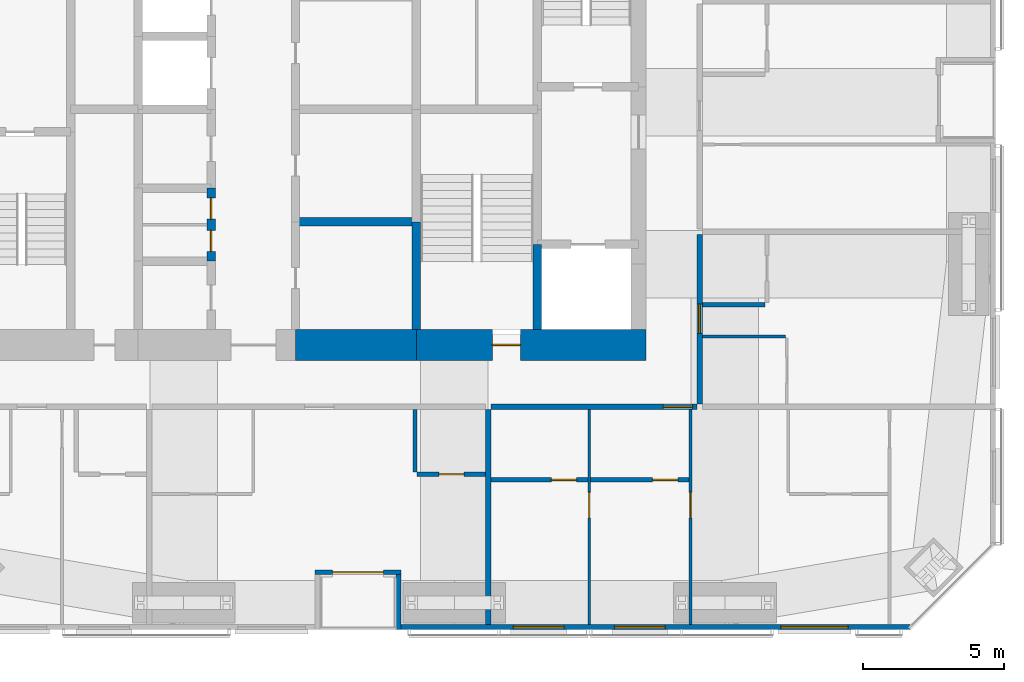
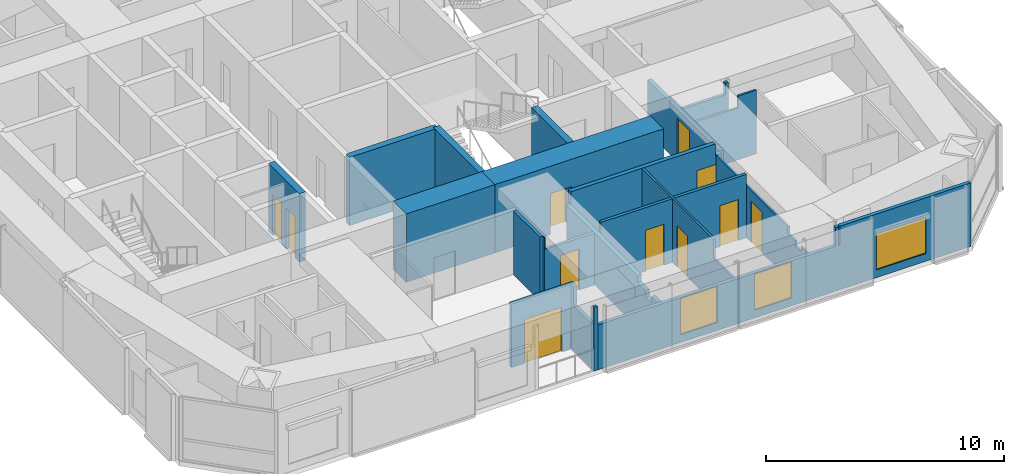
# One storey, part 14 of 19: 20 walls, 11 doors, 3 windows, 14 openings.
"""IFC4 building model written with IfcOpenShell, lengths in metres."""

from ifc_helpers import new_model, si_unit, direction, frame, frame_2d, origin, place, context, subcontext, project, spatial, polyline, rectangle, outline, extrude, material, layer, layer_set, constituent, constituent_set, type_object, element, fill, save


model = new_model("IFC4")

# Units and contexts
model_context = context("Model", 3, precision=1e-05, world=origin(), true_north=direction((0.0, 1.0)))
body_context = subcontext(model_context, "Body", "Model", "MODEL_VIEW")
ifc_project = project(units=[si_unit("LENGTHUNIT", "METRE"), si_unit("AREAUNIT", "SQUARE_METRE"), si_unit("VOLUMEUNIT", "CUBIC_METRE"), si_unit("PLANEANGLEUNIT", "RADIAN"), si_unit("MASSUNIT", "GRAM", prefix="KILO")], contexts=[model_context])

# Site, building, storey
site_placement = place(None, origin())
site = spatial("IfcSite", under=ifc_project, at=site_placement, CompositionType="ELEMENT")
building_placement = place(site_placement, origin())
building = spatial("IfcBuilding", under=site, at=building_placement, Name="Jalousie Tower", CompositionType="ELEMENT")
storey_placement = place(building_placement, frame((0.0, 0.0, 221.449951171875)))
storey = spatial("IfcBuildingStorey", under=building, at=storey_placement, Name="L60", CompositionType="ELEMENT", Elevation=221.449951171875)

# Wall, opening, door
ifc_material_1 = material(Name="Concrete block ASTM C90", Category="concrete")
ifc_constituent_1 = constituent(ifc_material_1, Name="Body")
ifc_material_2 = material(Name="Render")
ifc_constituent_2 = constituent(ifc_material_2, Name="Finish")
ifc_constituent_set_1 = constituent_set(constituents=[ifc_constituent_1, ifc_constituent_2])
wall_type_1 = type_object("IfcWallType", Name="BATHROOM WALL 150", PredefinedType="PLUMBINGWALL", material=ifc_constituent_set_1)
wall_1_placement = place(storey_placement, frame((35.925048828125, 5.52490234375, 0.0), z_axis=(0.0, 0.0, 1.0), x_axis=(1.0, 0.0, 0.0)))
wall_1 = element("IfcWall", 1, at=wall_1_placement, inside=storey, type_object=wall_type_1, Name="Bathroom Wall 150 L60", PredefinedType="PLUMBINGWALL", context=body_context, shape_type="SweptSolid", body=[
    extrude(outline(polyline([(0.0, 0.0), (2.425048828125, 0.0), (2.425048828125, 3.260009765625), (2.425048828125, 2.66015625), (0.0400390625, 2.66015625), (0.0400390625, 3.260009765625), (0.0, 3.260009765625), (0.0, 0.0)])), frame((0.0, 0.074951171875, 0.0), z_axis=(0.0, -1.0, 0.0), x_axis=(1.0, 0.0, 0.0)), (0.0, 0.0, 1.0), 0.14990234375),
])
opening_1_placement = place(wall_1_placement, frame((0.77490234375, 0.0, 0.0)))
opening_1 = element("IfcOpeningElement", 2, at=opening_1_placement, cuts=wall_1, Name="Opening D3", PredefinedType="OPENING", context=body_context, shape_type="SweptSolid", body=[
    extrude(rectangle(XDim=0.89990234375, YDim=2.10009765625, at=frame_2d((0.449951171875, 1.050048828125))), frame((0.0, 0.0849609375, 0.0), z_axis=(0.0, -1.0, 0.0), x_axis=(1.0, 0.0, 0.0)), (0.0, 0.0, 1.0), 0.169921875),
])
ifc_material_3 = material(Name="Timber door", Category="wood")
door_type_1 = type_object("IfcDoorType", Name="BATHROOM DOOR 900", OperationType="SINGLE_SWING_LEFT", PredefinedType="DOOR", material=ifc_material_3)
door_1_placement = place(opening_1_placement, origin())
door_1 = element("IfcDoor", 3, at=door_1_placement, inside=storey, type_object=door_type_1, Name="Apartment 6002 bathroom door", OperationType="SINGLE_SWING_RIGHT", OverallHeight=2.10009765625, OverallWidth=0.89990234375, PredefinedType="DOOR", context=body_context, shape_type="SweptSolid", body=[
    extrude(rectangle(XDim=0.89990234375, YDim=2.10009765625, at=frame_2d((0.449951171875, 1.050048828125))), frame((0.0, 0.02490234375, 0.0), z_axis=(0.0, -1.0, 0.0), x_axis=(1.0, 0.0, 0.0)), (0.0, 0.0, 1.0), 0.050048828125),
])
fill(opening_1, door_1)

# Wall
wall_2_placement = place(storey_placement, frame((35.85009765625, 5.60009765625, 0.0), z_axis=(0.0, 0.0, 1.0), x_axis=(0.0, 1.0, 0.0)))
element("IfcWall", 4, at=wall_2_placement, inside=storey, type_object=wall_type_1, Name="Bathroom Wall 150 L60", PredefinedType="PLUMBINGWALL", context=body_context, shape_type="SweptSolid", body=[
    extrude(rectangle(XDim=2.224853515625, YDim=0.14990234375, at=frame_2d((1.1123046875, 0.0))), origin(), (0.0, 0.0, 1.0), 3.260009765625),
])

# Wall, opening, door
wall_3_placement = place(storey_placement, frame((38.550048828125, 5.324951171875, 0.0), z_axis=(0.0, 0.0, 1.0), x_axis=(1.0, 0.0, 0.0)))
wall_3 = element("IfcWall", 5, at=wall_3_placement, inside=storey, type_object=wall_type_1, Name="Bathroom Wall 150 L60", PredefinedType="PLUMBINGWALL", context=body_context, shape_type="SweptSolid", body=[
    extrude(rectangle(XDim=3.449951171875, YDim=0.14990234375, at=frame_2d((1.72509765625, 0.0))), origin(), (0.0, 0.0, 1.0), 3.260009765625),
])
opening_2_placement = place(wall_3_placement, frame((2.14990234375, 0.0, 0.0)))
opening_2 = element("IfcOpeningElement", 6, at=opening_2_placement, cuts=wall_3, Name="Opening D3", PredefinedType="OPENING", context=body_context, shape_type="SweptSolid", body=[
    extrude(rectangle(XDim=0.89990234375, YDim=2.10009765625, at=frame_2d((0.449951171875, 1.050048828125))), frame((0.0, 0.0849609375, 0.0), z_axis=(0.0, -1.0, 0.0), x_axis=(1.0, 0.0, 0.0)), (0.0, 0.0, 1.0), 0.169921875),
])
door_2_placement = place(opening_2_placement, origin())
door_2 = element("IfcDoor", 7, at=door_2_placement, inside=storey, type_object=door_type_1, Name="Apartment 6003 bedroom 1 bathroom door", OperationType="SINGLE_SWING_RIGHT", OverallHeight=2.10009765625, OverallWidth=0.89990234375, PredefinedType="DOOR", context=body_context, shape_type="SweptSolid", body=[
    extrude(rectangle(XDim=0.89990234375, YDim=2.10009765625, at=frame_2d((0.449951171875, 1.050048828125))), frame((0.0, 0.02490234375, 0.0), z_axis=(0.0, -1.0, 0.0), x_axis=(1.0, 0.0, 0.0)), (0.0, 0.0, 1.0), 0.050048828125),
])
fill(opening_2, door_2)

wall_4_placement = place(storey_placement, frame((42.10009765625, 5.324951171875, 0.0), z_axis=(0.0, 0.0, 1.0), x_axis=(1.0, 0.0, 0.0)))
wall_4 = element("IfcWall", 8, at=wall_4_placement, inside=storey, type_object=wall_type_1, Name="Bathroom Wall 150 L60", PredefinedType="PLUMBINGWALL", context=body_context, shape_type="SweptSolid", body=[
    extrude(outline(polyline([(0.0, 0.0), (3.5, 0.0), (3.5, 3.260009765625), (3.5, 2.66015625), (3.489990234375, 2.66015625), (3.489990234375, 3.260009765625), (0.0, 3.260009765625), (0.0, 0.0)])), frame((0.0, 0.074951171875, 0.0), z_axis=(0.0, -1.0, 0.0), x_axis=(1.0, 0.0, 0.0)), (0.0, 0.0, 1.0), 0.14990234375),
])
opening_3_placement = place(wall_4_placement, frame((2.199951171875, 0.0, 0.0)))
opening_3 = element("IfcOpeningElement", 9, at=opening_3_placement, cuts=wall_4, Name="Opening D3", PredefinedType="OPENING", context=body_context, shape_type="SweptSolid", body=[
    extrude(rectangle(XDim=0.89990234375, YDim=2.10009765625, at=frame_2d((0.449951171875, 1.050048828125))), frame((0.0, 0.0849609375, 0.0), z_axis=(0.0, -1.0, 0.0), x_axis=(1.0, 0.0, 0.0)), (0.0, 0.0, 1.0), 0.169921875),
])
door_3_placement = place(opening_3_placement, origin())
door_3 = element("IfcDoor", 10, at=door_3_placement, inside=storey, type_object=door_type_1, Name="Apartment 6003 bedroom 2 bathroom door", OperationType="SINGLE_SWING_RIGHT", OverallHeight=2.10009765625, OverallWidth=0.89990234375, PredefinedType="DOOR", context=body_context, shape_type="SweptSolid", body=[
    extrude(rectangle(XDim=0.89990234375, YDim=2.10009765625, at=frame_2d((0.449951171875, 1.050048828125))), frame((0.0, 0.02490234375, 0.0), z_axis=(0.0, -1.0, 0.0), x_axis=(1.0, 0.0, 0.0)), (0.0, 0.0, 1.0), 0.050048828125),
])
fill(opening_3, door_3)

# Walls
wall_5_placement = place(storey_placement, frame((48.300048828125, 11.550048828125, 0.0), z_axis=(0.0, 0.0, 1.0), x_axis=(-1.0, 0.0, 0.0)))
element("IfcWall", 11, at=wall_5_placement, inside=storey, type_object=wall_type_1, Name="Bathroom Wall 150 L60", PredefinedType="PLUMBINGWALL", context=body_context, shape_type="SweptSolid", body=[
    extrude(outline(polyline([(0.0, 0.0), (2.22509765625, 0.0), (2.22509765625, 3.260009765625), (2.22509765625, 2.66015625), (0.139892578125, 2.66015625), (0.139892578125, 3.260009765625), (0.0, 3.260009765625), (0.0, 0.0)])), frame((0.0, 0.074951171875, 0.0), z_axis=(0.0, -1.0, 0.0), x_axis=(1.0, 0.0, 0.0)), (0.0, 0.0, 1.0), 0.14990234375),
])
ifc_material_4 = material(Name="Concrete f'c 120 MPa", Category="concrete")
ifc_layer_1 = layer(ifc_material_4, 1.10009765625)
ifc_layer_set_1 = layer_set([ifc_layer_1], Name="Concrete f'c 120 MPa")
wall_type_2 = type_object("IfcWallType", Name="CORE WALL 1100", PredefinedType="SHEAR", material=ifc_layer_set_1)
wall_6_placement = place(storey_placement, frame((31.60009765625, 10.125, 0.0), z_axis=(0.0, 0.0, 1.0), x_axis=(1.0, 0.0, 0.0)))
element("IfcWall", 12, at=wall_6_placement, inside=storey, type_object=wall_type_2, Name="Core wall SC L60", PredefinedType="SHEAR", context=body_context, shape_type="SweptSolid", body=[
    extrude(rectangle(XDim=4.2998046875, YDim=1.10009765625, at=frame_2d((2.14990234375, 0.0))), origin(), (0.0, 0.0, 1.0), 3.5),
])

# Wall, opening, door
wall_7_placement = place(storey_placement, frame((35.89990234375, 10.125, 0.0), z_axis=(0.0, 0.0, 1.0), x_axis=(1.0, 0.0, 0.0)))
wall_7 = element("IfcWall", 13, at=wall_7_placement, inside=storey, type_object=wall_type_2, Name="Core wall SD L60", PredefinedType="SHEAR", context=body_context, shape_type="SweptSolid", body=[
    extrude(rectangle(XDim=8.175048828125, YDim=1.10009765625, at=frame_2d((4.08740234375, 0.0))), origin(), (0.0, 0.0, 1.0), 3.5),
])
opening_4_placement = place(wall_7_placement, frame((2.699951171875, 0.0, 0.0)))
opening_4 = element("IfcOpeningElement", 14, at=opening_4_placement, cuts=wall_7, Name="Opening D10", PredefinedType="OPENING", context=body_context, shape_type="SweptSolid", body=[
    extrude(rectangle(XDim=1.0, YDim=2.10009765625, at=frame_2d((0.5, 1.050048828125))), frame((0.0, 0.56005859375, 0.0), z_axis=(0.0, -1.0, 0.0), x_axis=(1.0, 0.0, 0.0)), (0.0, 0.0, 1.0), 1.1201171875),
])
ifc_material_5 = material(Name="Steel fire door", Category="steel")
door_type_2 = type_object("IfcDoorType", Name="STAIR DOOR 1000", OperationType="SINGLE_SWING_LEFT", PredefinedType="DOOR", material=ifc_material_5)
door_4_placement = place(opening_4_placement, origin())
door_4 = element("IfcDoor", 15, at=door_4_placement, inside=storey, type_object=door_type_2, Name="Exit stair C door", OperationType="SINGLE_SWING_RIGHT", OverallHeight=2.10009765625, OverallWidth=1.0, PredefinedType="DOOR", context=body_context, shape_type="SweptSolid", body=[
    extrude(rectangle(XDim=1.0, YDim=2.10009765625, at=frame_2d((0.5, 1.050048828125))), frame((0.0, 0.02490234375, 0.0), z_axis=(0.0, -1.0, 0.0), x_axis=(1.0, 0.0, 0.0)), (0.0, 0.0, 1.0), 0.050048828125),
])
fill(opening_4, door_4)

# Wall, openings, doors
ifc_material_6 = material(Name="Concrete f'c 120 MPa", Category="concrete")
ifc_layer_2 = layer(ifc_material_6, 0.300048828125)
ifc_layer_set_2 = layer_set([ifc_layer_2], Name="Concrete f'c 120 MPa")
wall_type_3 = type_object("IfcWallType", Name="CORE WALL 300", PredefinedType="SHEAR", material=ifc_layer_set_2)
wall_8_placement = place(storey_placement, frame((28.60009765625, 13.10009765625, 0.0), z_axis=(0.0, 0.0, 1.0), x_axis=(0.0, 1.0, 0.0)))
wall_8 = element("IfcWall", 16, at=wall_8_placement, inside=storey, type_object=wall_type_3, Name="Core wall X28.6B L60", PredefinedType="SHEAR", context=body_context, shape_type="SweptSolid", body=[
    extrude(rectangle(XDim=2.599853515625, YDim=0.300048828125, at=frame_2d((1.2998046875, 0.0))), origin(), (0.0, 0.0, 1.0), 3.5),
])
opening_5_placement = place(wall_8_placement, frame((0.35009765625, 0.0, 0.0)))
opening_5 = element("IfcOpeningElement", 17, at=opening_5_placement, cuts=wall_8, Name="Opening D27", PredefinedType="OPENING", context=body_context, shape_type="SweptSolid", body=[
    extrude(rectangle(XDim=0.75, YDim=2.10009765625, at=frame_2d((0.375, 1.050048828125))), frame((0.0, 0.159912109375, 0.0), z_axis=(0.0, -1.0, 0.0), x_axis=(1.0, 0.0, 0.0)), (0.0, 0.0, 1.0), 0.320068359375),
])
opening_6_placement = place(wall_8_placement, frame((1.5, 0.0, 0.0)))
opening_6 = element("IfcOpeningElement", 18, at=opening_6_placement, cuts=wall_8, Name="Opening D27", PredefinedType="OPENING", context=body_context, shape_type="SweptSolid", body=[
    extrude(rectangle(XDim=0.75, YDim=2.10009765625, at=frame_2d((0.375, 1.050048828125))), frame((0.0, 0.159912109375, 0.0), z_axis=(0.0, -1.0, 0.0), x_axis=(1.0, 0.0, 0.0)), (0.0, 0.0, 1.0), 0.320068359375),
])
ifc_material_7 = material(Name="Steel fire door", Category="steel")
door_type_3 = type_object("IfcDoorType", Name="CORE ROOM DOOR 750", OperationType="SINGLE_SWING_LEFT", PredefinedType="DOOR", material=ifc_material_7)
door_5_placement = place(opening_5_placement, origin())
door_5 = element("IfcDoor", 19, at=door_5_placement, inside=storey, type_object=door_type_3, Name="Staff WC door", OperationType="SINGLE_SWING_RIGHT", OverallHeight=2.10009765625, OverallWidth=0.75, PredefinedType="DOOR", context=body_context, shape_type="SweptSolid", body=[
    extrude(rectangle(XDim=0.75, YDim=2.10009765625, at=frame_2d((0.375, 1.050048828125))), frame((0.0, 0.02490234375, 0.0), z_axis=(0.0, -1.0, 0.0), x_axis=(1.0, 0.0, 0.0)), (0.0, 0.0, 1.0), 0.050048828125),
])
fill(opening_5, door_5)
door_6_placement = place(opening_6_placement, origin())
door_6 = element("IfcDoor", 20, at=door_6_placement, inside=storey, type_object=door_type_3, Name="Store door", OperationType="SINGLE_SWING_LEFT", OverallHeight=2.10009765625, OverallWidth=0.75, PredefinedType="DOOR", context=body_context, shape_type="SweptSolid", body=[
    extrude(rectangle(XDim=0.75, YDim=2.10009765625, at=frame_2d((0.375, 1.050048828125))), frame((0.0, 0.02490234375, 0.0), z_axis=(0.0, -1.0, 0.0), x_axis=(1.0, 0.0, 0.0)), (0.0, 0.0, 1.0), 0.050048828125),
])
fill(opening_6, door_6)

# Walls
wall_9_placement = place(storey_placement, frame((35.89990234375, 10.675048828125, 0.0), z_axis=(0.0, 0.0, 1.0), x_axis=(0.0, 1.0, 0.0)))
element("IfcWall", 21, at=wall_9_placement, inside=storey, type_object=wall_type_3, Name="Core wall X35.9A L60", PredefinedType="SHEAR", context=body_context, shape_type="SweptSolid", body=[
    extrude(rectangle(XDim=3.824951171875, YDim=0.300048828125, at=frame_2d((1.91259765625, 0.0))), origin(), (0.0, 0.0, 1.0), 3.5),
])
wall_10_placement = place(storey_placement, frame((40.199951171875, 10.675048828125, 0.0), z_axis=(0.0, 0.0, 1.0), x_axis=(0.0, 1.0, 0.0)))
element("IfcWall", 22, at=wall_10_placement, inside=storey, type_object=wall_type_3, Name="Core wall X40.2A L60", PredefinedType="SHEAR", context=body_context, shape_type="SweptSolid", body=[
    extrude(rectangle(XDim=3.02490234375, YDim=0.300048828125, at=frame_2d((1.512451171875, 0.0))), origin(), (0.0, 0.0, 1.0), 3.5),
])
wall_11_placement = place(storey_placement, frame((31.60009765625, 14.5, 0.0), z_axis=(0.0, 0.0, 1.0), x_axis=(1.0, 0.0, 0.0)))
element("IfcWall", 23, at=wall_11_placement, inside=storey, type_object=wall_type_3, Name="Core wall Y31.6-14.5 L60", PredefinedType="SHEAR", context=body_context, shape_type="SweptSolid", body=[
    extrude(rectangle(XDim=4.2998046875, YDim=0.300048828125, at=frame_2d((2.14990234375, 0.0))), origin(), (0.0, 0.0, 1.0), 3.5),
])

# Wall, opening, door
ifc_material_8 = material(Name="Concrete block ASTM C90", Category="concrete")
ifc_constituent_3 = constituent(ifc_material_8, Name="Body")
ifc_material_9 = material(Name="Render")
ifc_constituent_4 = constituent(ifc_material_9, Name="Finish")
ifc_constituent_set_2 = constituent_set(constituents=[ifc_constituent_3, ifc_constituent_4])
wall_type_4 = type_object("IfcWallType", Name="CORRIDOR WALL 200", PredefinedType="PARTITIONING", material=ifc_constituent_set_2)
wall_12_placement = place(storey_placement, frame((38.550048828125, 7.925048828125, 0.0), z_axis=(0.0, 0.0, 1.0), x_axis=(1.0, 0.0, 0.0)))
wall_12 = element("IfcWall", 24, at=wall_12_placement, inside=storey, type_object=wall_type_4, Name="Corridor Wall 200 L60", PredefinedType="PARTITIONING", context=body_context, shape_type="SweptSolid", body=[
    extrude(outline(polyline([(0.0, 0.0), (7.324951171875, 0.0), (7.324951171875, 3.260009765625), (7.324951171875, 2.66015625), (7.014892578125, 2.66015625), (7.014892578125, 3.260009765625), (0.010009765625, 3.260009765625), (0.010009765625, 2.66015625), (0.0, 2.66015625), (0.0, 3.260009765625), (0.0, 0.0)])), frame((0.0, 0.10009765625, 0.0), z_axis=(0.0, -1.0, 0.0), x_axis=(1.0, 0.0, 0.0)), (0.0, 0.0, 1.0), 0.199951171875),
])
opening_7_placement = place(wall_12_placement, frame((6.125, 0.0, 0.0)))
opening_7 = element("IfcOpeningElement", 25, at=opening_7_placement, cuts=wall_12, Name="Opening D1", PredefinedType="OPENING", context=body_context, shape_type="SweptSolid", body=[
    extrude(rectangle(XDim=1.050048828125, YDim=2.199951171875, at=frame_2d((0.52490234375, 1.10009765625))), frame((0.0, 0.10986328125, 0.0), z_axis=(0.0, -1.0, 0.0), x_axis=(1.0, 0.0, 0.0)), (0.0, 0.0, 1.0), 0.219970703125),
])
ifc_material_10 = material(Name="Timber fire door", Category="wood")
door_type_4 = type_object("IfcDoorType", Name="APARTMENT ENTRANCE DOOR 1050", OperationType="SINGLE_SWING_LEFT", PredefinedType="DOOR", material=ifc_material_10)
door_7_placement = place(opening_7_placement, frame((1.050048828125, 0.0, 0.0), z_axis=(0.0, 0.0, 1.0), x_axis=(-1.0, 0.0, 0.0)))
door_7 = element("IfcDoor", 26, at=door_7_placement, inside=storey, type_object=door_type_4, Name="Apartment 6003 entrance", OperationType="SINGLE_SWING_RIGHT", OverallHeight=2.199951171875, OverallWidth=1.050048828125, PredefinedType="DOOR", context=body_context, shape_type="SweptSolid", body=[
    extrude(rectangle(XDim=1.050048828125, YDim=2.199951171875, at=frame_2d((0.52490234375, 1.10009765625))), frame((0.0, 0.02490234375, 0.0), z_axis=(0.0, -1.0, 0.0), x_axis=(1.0, 0.0, 0.0)), (0.0, 0.0, 1.0), 0.050048828125),
])
fill(opening_7, door_7)

wall_13_placement = place(storey_placement, frame((45.97509765625, 8.02490234375, 0.0), z_axis=(0.0, 0.0, 1.0), x_axis=(0.0, 1.0, 0.0)))
wall_13 = element("IfcWall", 27, at=wall_13_placement, inside=storey, type_object=wall_type_4, Name="Corridor Wall 200 L60", PredefinedType="PARTITIONING", context=body_context, shape_type="SweptSolid", body=[
    extrude(outline(polyline([(0.0, 0.0), (6.025146484375, 0.0), (6.02490234375, 3.260009765625), (6.02490234375, 2.66015625), (5.0849609375, 2.66015625), (0.0, 2.66015625), (0.0, 3.260009765625), (0.0, 0.0)])), frame((0.0, 0.10009765625, 0.0), z_axis=(0.0, -1.0, 0.0), x_axis=(1.0, 0.0, 0.0)), (0.0, 0.0, 1.0), 0.199951171875),
])
opening_8_placement = place(wall_13_placement, frame((2.512451171875, 0.0, 0.0)))
opening_8 = element("IfcOpeningElement", 28, at=opening_8_placement, cuts=wall_13, Name="Opening D1", PredefinedType="OPENING", context=body_context, shape_type="SweptSolid", body=[
    extrude(rectangle(XDim=1.050048828125, YDim=2.199951171875, at=frame_2d((0.52490234375, 1.10009765625))), frame((0.0, 0.10986328125, 0.0), z_axis=(0.0, -1.0, 0.0), x_axis=(1.0, 0.0, 0.0)), (0.0, 0.0, 1.0), 0.219970703125),
])
door_8_placement = place(opening_8_placement, frame((1.050048828125, 0.0, 0.0), z_axis=(0.0, 0.0, 1.0), x_axis=(-1.0, 0.0, 0.0)))
door_8 = element("IfcDoor", 29, at=door_8_placement, inside=storey, type_object=door_type_4, Name="Apartment 6006 entrance", OperationType="SINGLE_SWING_RIGHT", OverallHeight=2.199951171875, OverallWidth=1.050048828125, PredefinedType="DOOR", context=body_context, shape_type="SweptSolid", body=[
    extrude(rectangle(XDim=1.050048828125, YDim=2.199951171875, at=frame_2d((0.52490234375, 1.10009765625))), frame((0.0, 0.02490234375, 0.0), z_axis=(0.0, -1.0, 0.0), x_axis=(1.0, 0.0, 0.0)), (0.0, 0.0, 1.0), 0.050048828125),
])
fill(opening_8, door_8)

# Wall, openings, windows
ifc_material_11 = material(Name="Concrete f'c 40 MPa", Category="concrete")
ifc_constituent_5 = constituent(ifc_material_11, Name="Body")
ifc_material_12 = material(Name="Render, pastel sky blue")
ifc_constituent_6 = constituent(ifc_material_12, Name="Finish")
ifc_constituent_set_3 = constituent_set(constituents=[ifc_constituent_5, ifc_constituent_6])
wall_type_5 = type_object("IfcWallType", Name="EXTERNAL WALL 175 SKY BLUE RENDER", PredefinedType="SOLIDWALL", material=ifc_constituent_set_3)
wall_14_placement = place(storey_placement, frame((35.35009765625, 0.08740234375, 0.0), z_axis=(0.0, 0.0, 1.0), x_axis=(1.0, 0.0, 0.0)))
wall_14 = element("IfcWall", 30, at=wall_14_placement, inside=storey, type_object=wall_type_5, Name="External Wall 175 Sky Blue Render L60", PredefinedType="SOLIDWALL", context=body_context, shape_type="SweptSolid", body=[
    extrude(outline(polyline([(0.0, 0.0), (18.0986328125, 0.0), (18.0986328125, 3.260009765625), (11.73974609375, 3.260009765625), (11.73974609375, 2.300048828125), (11.65625, 2.300048828125), (11.65625, 3.260009765625), (11.52490234375, 3.260009765625), (11.52490234375, 2.300048828125), (0.0, 2.300048828125), (0.0, 0.0)])), frame((0.0, 0.08740234375, 0.0), z_axis=(0.0, -1.0, 0.0), x_axis=(1.0, 0.0, 0.0)), (0.0, 0.0, 1.0), 0.175048828125),
])
opening_9_placement = place(wall_14_placement, frame((4.0, 0.0, 0.39990234375)))
opening_9 = element("IfcOpeningElement", 31, at=opening_9_placement, cuts=wall_14, Name="Opening W-BED185", PredefinedType="OPENING", context=body_context, shape_type="SweptSolid", body=[
    extrude(rectangle(XDim=1.800048828125, YDim=1.85009765625, at=frame_2d((0.89990234375, 0.925048828125))), frame((0.0, 0.097412109375, 0.0), z_axis=(0.0, -1.0, 0.0), x_axis=(1.0, 0.0, 0.0)), (0.0, 0.0, 1.0), 0.195068359375),
])
opening_10_placement = place(wall_14_placement, frame((7.60009765625, 0.0, 0.39990234375)))
opening_10 = element("IfcOpeningElement", 32, at=opening_10_placement, cuts=wall_14, Name="Opening W-BED185", PredefinedType="OPENING", context=body_context, shape_type="SweptSolid", body=[
    extrude(rectangle(XDim=1.800048828125, YDim=1.85009765625, at=frame_2d((0.89990234375, 0.925048828125))), frame((0.0, 0.097412109375, 0.0), z_axis=(0.0, -1.0, 0.0), x_axis=(1.0, 0.0, 0.0)), (0.0, 0.0, 1.0), 0.195068359375),
])
opening_11_placement = place(wall_14_placement, frame((13.509521484375, 0.0, 0.39990234375)))
opening_11 = element("IfcOpeningElement", 33, at=opening_11_placement, cuts=wall_14, Name="Opening W-LIV185", PredefinedType="OPENING", context=body_context, shape_type="SweptSolid", body=[
    extrude(rectangle(XDim=2.39990234375, YDim=1.85009765625, at=frame_2d((1.199951171875, 0.925048828125))), frame((0.0, 0.097412109375, 0.0), z_axis=(0.0, -1.0, 0.0), x_axis=(1.0, 0.0, 0.0)), (0.0, 0.0, 1.0), 0.195068359375),
])
ifc_material_13 = material(Name="Aluminium frame, impact-rated glazing", Category="aluminium")
window_type_1 = type_object("IfcWindowType", Name="WINDOW BED 1800x1850", PartitioningType="SINGLE_PANEL", PredefinedType="WINDOW", material=ifc_material_13)
window_1_placement = place(opening_9_placement, origin())
window_1 = element("IfcWindow", 34, at=window_1_placement, inside=storey, type_object=window_type_1, Name="Apartment 6003 bedroom 1 window", OverallHeight=1.85009765625, OverallWidth=1.800048828125, PartitioningType="SINGLE_PANEL", PredefinedType="WINDOW", context=body_context, shape_type="SweptSolid", body=[
    extrude(rectangle(XDim=1.800048828125, YDim=1.85009765625, at=frame_2d((0.89990234375, 0.925048828125))), frame((0.0, 0.030029296875, 0.0), z_axis=(0.0, -1.0, 0.0), x_axis=(1.0, 0.0, 0.0)), (0.0, 0.0, 1.0), 0.06005859375),
])
fill(opening_9, window_1)
window_2_placement = place(opening_10_placement, origin())
window_2 = element("IfcWindow", 35, at=window_2_placement, inside=storey, type_object=window_type_1, Name="Apartment 6003 bedroom 2 window", OverallHeight=1.85009765625, OverallWidth=1.800048828125, PartitioningType="SINGLE_PANEL", PredefinedType="WINDOW", context=body_context, shape_type="SweptSolid", body=[
    extrude(rectangle(XDim=1.800048828125, YDim=1.85009765625, at=frame_2d((0.89990234375, 0.925048828125))), frame((0.0, 0.030029296875, 0.0), z_axis=(0.0, -1.0, 0.0), x_axis=(1.0, 0.0, 0.0)), (0.0, 0.0, 1.0), 0.06005859375),
])
fill(opening_10, window_2)
ifc_material_14 = material(Name="Aluminium frame, impact-rated glazing", Category="aluminium")
window_type_2 = type_object("IfcWindowType", Name="WINDOW LIV 2400x1850", PartitioningType="DOUBLE_PANEL_VERTICAL", PredefinedType="WINDOW", material=ifc_material_14)
window_3_placement = place(opening_11_placement, origin())
window_3 = element("IfcWindow", 36, at=window_3_placement, inside=storey, type_object=window_type_2, Name="Apartment 6003 living and dining room window", OverallHeight=1.85009765625, OverallWidth=2.39990234375, PartitioningType="SINGLE_PANEL", PredefinedType="WINDOW", context=body_context, shape_type="SweptSolid", body=[
    extrude(rectangle(XDim=2.39990234375, YDim=1.85009765625, at=frame_2d((1.199951171875, 0.925048828125))), frame((0.0, 0.030029296875, 0.0), z_axis=(0.0, -1.0, 0.0), x_axis=(1.0, 0.0, 0.0)), (0.0, 0.0, 1.0), 0.06005859375),
])
fill(opening_11, window_3)

# Wall, opening, door
wall_15_placement = place(storey_placement, frame((32.300048828125, 2.03759765625, 0.0), z_axis=(0.0, 0.0, 1.0), x_axis=(1.0, 0.0, 0.0)))
wall_15 = element("IfcWall", 37, at=wall_15_placement, inside=storey, type_object=wall_type_5, Name="External Wall 175 Sky Blue Render L60", PredefinedType="SOLIDWALL", context=body_context, shape_type="SweptSolid", body=[
    extrude(rectangle(XDim=3.050048828125, YDim=0.175048828125, at=frame_2d((1.52490234375, 0.0))), origin(), (0.0, 0.0, 1.0), 3.260009765625),
])
opening_12_placement = place(wall_15_placement, frame((0.625, 0.0, 0.0)))
opening_12 = element("IfcOpeningElement", 38, at=opening_12_placement, cuts=wall_15, Name="Opening D-BAL22", PredefinedType="OPENING", context=body_context, shape_type="SweptSolid", body=[
    extrude(rectangle(XDim=1.800048828125, YDim=2.25, at=frame_2d((0.89990234375, 1.125))), frame((0.0, 0.097412109375, 0.0), z_axis=(0.0, -1.0, 0.0), x_axis=(1.0, 0.0, 0.0)), (0.0, 0.0, 1.0), 0.195068359375),
])
ifc_material_15 = material(Name="Aluminium frame, impact-rated glazing", Category="aluminium")
door_type_5 = type_object("IfcDoorType", Name="BALCONY DOOR 1800x2250", OperationType="SLIDING_TO_LEFT", PredefinedType="DOOR", material=ifc_material_15)
door_9_placement = place(opening_12_placement, origin())
door_9 = element("IfcDoor", 39, at=door_9_placement, inside=storey, type_object=door_type_5, Name="Apartment 6002 studio living and sleeping room loggia door", OperationType="SLIDING_TO_LEFT", OverallHeight=2.25, OverallWidth=1.800048828125, PredefinedType="DOOR", context=body_context, shape_type="SweptSolid", body=[
    extrude(rectangle(XDim=1.800048828125, YDim=2.25, at=frame_2d((0.89990234375, 1.125))), frame((0.0, 0.02490234375, 0.0), z_axis=(0.0, -1.0, 0.0), x_axis=(1.0, 0.0, 0.0)), (0.0, 0.0, 1.0), 0.050048828125),
])
fill(opening_12, door_9)

# Wall
wall_16_placement = place(storey_placement, frame((35.262451171875, 0.0, 0.0), z_axis=(0.0, 0.0, 1.0), x_axis=(0.0, 1.0, 0.0)))
element("IfcWall", 40, at=wall_16_placement, inside=storey, type_object=wall_type_5, Name="External Wall 175 Sky Blue Render L60", PredefinedType="SOLIDWALL", context=body_context, shape_type="SweptSolid", body=[
    extrude(outline(polyline([(0.0, 0.0), (1.949951171875, 0.0), (1.949951171875, 3.260009765625), (1.75, 3.260009765625), (1.75, 2.300048828125), (0.14990234375, 2.300048828125), (0.14990234375, 3.260009765625), (0.0, 3.260009765625), (0.0, 0.0)])), frame((0.0, 0.08740234375, 0.0), z_axis=(0.0, -1.0, 0.0), x_axis=(1.0, 0.0, 0.0)), (0.0, 0.0, 1.0), 0.175048828125),
])

# Wall, opening, door
ifc_material_16 = material(Name="Gypsum board", Category="gypsum")
ifc_constituent_7 = constituent(ifc_material_16, Name="Body")
ifc_material_17 = material(Name="Light-gauge steel studs ASTM A653 SS Grade 33", Category="steel")
ifc_constituent_8 = constituent(ifc_material_17, Name="Framing")
ifc_constituent_set_4 = constituent_set(constituents=[ifc_constituent_7, ifc_constituent_8])
wall_type_6 = type_object("IfcWallType", Name="PARTITION 100", PredefinedType="PARTITIONING", material=ifc_constituent_set_4)
wall_17_placement = place(storey_placement, frame((42.050048828125, 0.175048828125, 0.0), z_axis=(0.0, 0.0, 1.0), x_axis=(0.0, 1.0, 0.0)))
wall_17 = element("IfcWall", 41, at=wall_17_placement, inside=storey, type_object=wall_type_6, Name="Partition 100 L60", PredefinedType="PARTITIONING", context=body_context, shape_type="SweptSolid", body=[
    extrude(outline(polyline([(0.0, 0.0), (7.64990234375, 0.0), (7.64990234375, 3.260009765625), (1.635009765625, 3.260009765625), (1.635009765625, 2.300048828125), (0.0, 2.300048828125), (0.0, 3.260009765625), (0.0, 0.0)])), frame((0.0, 0.050048828125, 0.0), z_axis=(0.0, -1.0, 0.0), x_axis=(1.0, 0.0, 0.0)), (0.0, 0.0, 1.0), 0.10009765625),
])
opening_13_placement = place(wall_17_placement, frame((3.800048828125, 0.0, 0.0)))
opening_13 = element("IfcOpeningElement", 42, at=opening_13_placement, cuts=wall_17, Name="Opening D2", PredefinedType="OPENING", context=body_context, shape_type="SweptSolid", body=[
    extrude(rectangle(XDim=0.89990234375, YDim=2.10009765625, at=frame_2d((0.449951171875, 1.050048828125))), frame((0.0, 0.06005859375, 0.0), z_axis=(0.0, -1.0, 0.0), x_axis=(1.0, 0.0, 0.0)), (0.0, 0.0, 1.0), 0.1201171875),
])
ifc_material_18 = material(Name="Timber door", Category="wood")
door_type_6 = type_object("IfcDoorType", Name="BEDROOM DOOR 900", OperationType="SINGLE_SWING_LEFT", PredefinedType="DOOR", material=ifc_material_18)
door_10_placement = place(opening_13_placement, frame((0.89990234375, 0.0, 0.0), z_axis=(0.0, 0.0, 1.0), x_axis=(-1.0, 0.0, 0.0)))
door_10 = element("IfcDoor", 43, at=door_10_placement, inside=storey, type_object=door_type_6, Name="Apartment 6003 bedroom 1 door", OperationType="SINGLE_SWING_LEFT", OverallHeight=2.10009765625, OverallWidth=0.89990234375, PredefinedType="DOOR", context=body_context, shape_type="SweptSolid", body=[
    extrude(rectangle(XDim=0.89990234375, YDim=2.10009765625, at=frame_2d((0.449951171875, 1.050048828125))), frame((0.0, 0.02490234375, 0.0), z_axis=(0.0, -1.0, 0.0), x_axis=(1.0, 0.0, 0.0)), (0.0, 0.0, 1.0), 0.050048828125),
])
fill(opening_13, door_10)

wall_18_placement = place(storey_placement, frame((45.64990234375, 0.175048828125, 0.0), z_axis=(0.0, 0.0, 1.0), x_axis=(0.0, 1.0, 0.0)))
wall_18 = element("IfcWall", 44, at=wall_18_placement, inside=storey, type_object=wall_type_6, Name="Partition 100 L60", PredefinedType="PARTITIONING", context=body_context, shape_type="SweptSolid", body=[
    extrude(outline(polyline([(0.52880859375, 2.300048828125), (0.0, 2.300048828125), (0.0, 0.0), (0.52880859375, 0.0), (0.52880859375, 0.25244140625), (1.021240234375, 0.25244140625), (1.021240234375, 0.0), (7.64990234375, 0.0), (7.64990234375, 2.66015625), (1.635009765625, 2.66015625), (1.635009765625, 2.300048828125), (1.021240234375, 2.300048828125), (1.021240234375, 2.047607421875), (0.52880859375, 2.047607421875), (0.52880859375, 2.300048828125)])), frame((0.0, 0.050048828125, 0.0), z_axis=(0.0, -1.0, 0.0), x_axis=(1.0, 0.0, 0.0)), (0.0, 0.0, 1.0), 0.10009765625),
])
opening_14_placement = place(wall_18_placement, frame((3.800048828125, 0.0, 0.0)))
opening_14 = element("IfcOpeningElement", 45, at=opening_14_placement, cuts=wall_18, Name="Opening D2", PredefinedType="OPENING", context=body_context, shape_type="SweptSolid", body=[
    extrude(rectangle(XDim=0.89990234375, YDim=2.10009765625, at=frame_2d((0.449951171875, 1.050048828125))), frame((0.0, 0.06005859375, 0.0), z_axis=(0.0, -1.0, 0.0), x_axis=(1.0, 0.0, 0.0)), (0.0, 0.0, 1.0), 0.1201171875),
])
door_11_placement = place(opening_14_placement, origin())
door_11 = element("IfcDoor", 46, at=door_11_placement, inside=storey, type_object=door_type_6, Name="Apartment 6003 bedroom 2 door", OperationType="SINGLE_SWING_RIGHT", OverallHeight=2.10009765625, OverallWidth=0.89990234375, PredefinedType="DOOR", context=body_context, shape_type="SweptSolid", body=[
    extrude(rectangle(XDim=0.89990234375, YDim=2.10009765625, at=frame_2d((0.449951171875, 1.050048828125))), frame((0.0, 0.02490234375, 0.0), z_axis=(0.0, -1.0, 0.0), x_axis=(1.0, 0.0, 0.0)), (0.0, 0.0, 1.0), 0.050048828125),
])
fill(opening_14, door_11)

# Walls
wall_19_placement = place(storey_placement, frame((49.02490234375, 10.425048828125, 0.0), z_axis=(0.0, 0.0, 1.0), x_axis=(-1.0, 0.0, 0.0)))
element("IfcWall", 47, at=wall_19_placement, inside=storey, type_object=wall_type_6, Name="Partition 100 L60", PredefinedType="PARTITIONING", context=body_context, shape_type="SweptSolid", body=[
    extrude(outline(polyline([(0.0, 0.0), (2.949951171875, 0.0), (2.949951171875, 3.260009765625), (2.949951171875, 2.66015625), (0.889892578125, 2.66015625), (0.889892578125, 3.260009765625), (0.0, 3.260009765625), (0.0, 0.0)])), frame((0.0, 0.050048828125, 0.0), z_axis=(0.0, -1.0, 0.0), x_axis=(1.0, 0.0, 0.0)), (0.0, 0.0, 1.0), 0.10009765625),
])
ifc_material_19 = material(Name="Concrete block ASTM C90", Category="concrete")
ifc_constituent_9 = constituent(ifc_material_19, Name="Body")
ifc_material_20 = material(Name="Render")
ifc_constituent_10 = constituent(ifc_material_20, Name="Finish")
ifc_constituent_set_5 = constituent_set(constituents=[ifc_constituent_9, ifc_constituent_10])
wall_type_7 = type_object("IfcWallType", Name="PARTY WALL 200", PredefinedType="PARTITIONING", material=ifc_constituent_set_5)
wall_20_placement = place(storey_placement, frame((38.449951171875, 0.175048828125, 0.0), z_axis=(0.0, 0.0, 1.0), x_axis=(0.0, 1.0, 0.0)))
element("IfcWall", 48, at=wall_20_placement, inside=storey, type_object=wall_type_7, Name="Party Wall 200 L60", PredefinedType="PARTITIONING", context=body_context, shape_type="SweptSolid", body=[
    extrude(outline(polyline([(0.52880859375, 2.300048828125), (0.0, 2.300048828125), (0.0, 0.0), (0.52880859375, 0.0), (0.52880859375, 0.33837890625), (1.021240234375, 0.33837890625), (1.021240234375, 0.0), (7.64990234375, 0.0), (7.64990234375, 2.66015625), (1.68505859375, 2.66015625), (1.68505859375, 2.300048828125), (1.021240234375, 2.300048828125), (1.021240234375, 1.961669921875), (0.52880859375, 1.961669921875), (0.52880859375, 2.300048828125)])), frame((0.0, 0.10009765625, 0.0), z_axis=(0.0, -1.0, 0.0), x_axis=(1.0, 0.0, 0.0)), (0.0, 0.0, 1.0), 0.199951171875),
])

save(model, "model.ifc")
